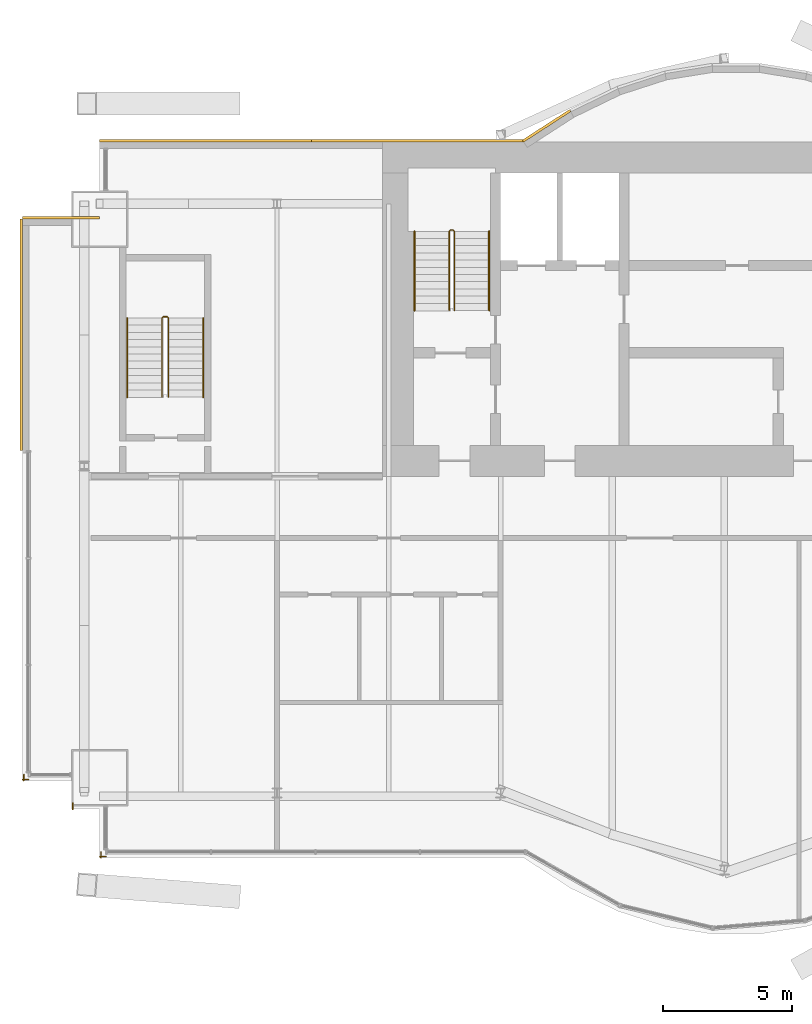
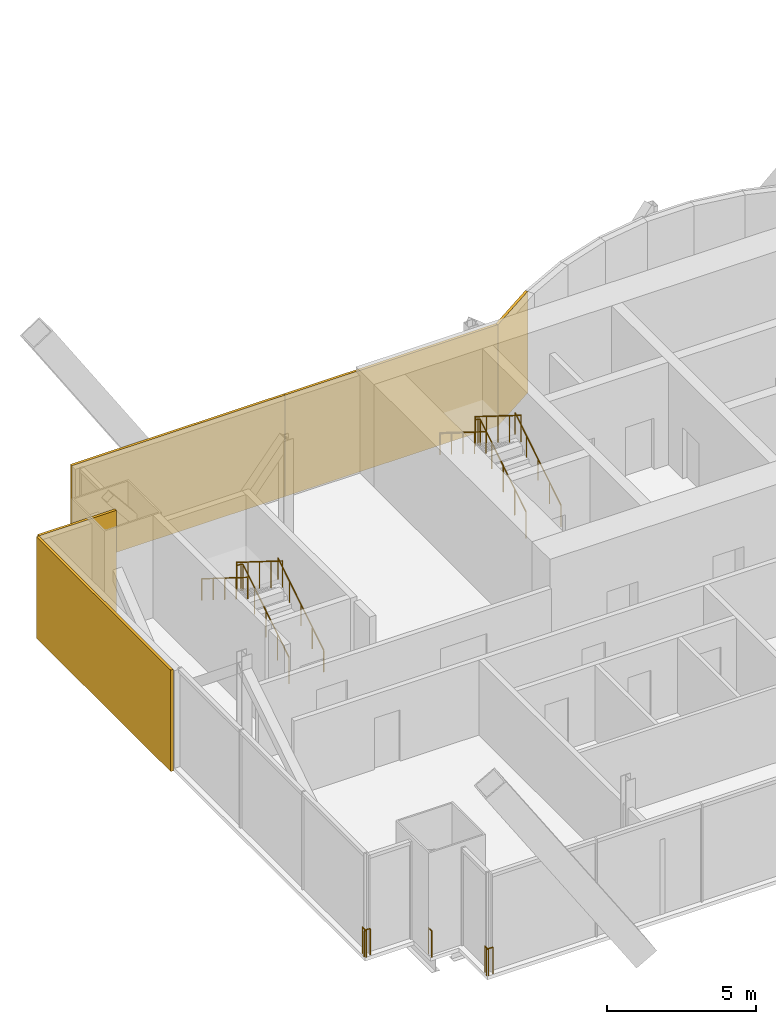
# One storey, part 17 of 19: 9 railings, 5 coverings.
"""IFC4 building model written with IfcOpenShell, lengths in metres."""

from ifc_helpers import new_model, si_unit, direction, frame, origin, origin_2d, place, context, subcontext, project, spatial, rectangle, circle, extrude, material, layer, layer_set, type_object, element, save


model = new_model("IFC4")

# Units and contexts
model_context = context("Model", 3, precision=1e-05, world=origin(), true_north=direction((0.0, 1.0)))
body_context = subcontext(model_context, "Body", "Model", "MODEL_VIEW")
ifc_project = project(units=[si_unit("LENGTHUNIT", "METRE"), si_unit("AREAUNIT", "SQUARE_METRE"), si_unit("VOLUMEUNIT", "CUBIC_METRE"), si_unit("PLANEANGLEUNIT", "RADIAN"), si_unit("MASSUNIT", "GRAM", prefix="KILO")], contexts=[model_context])

# Site, building, storey
site_placement = place(None, origin())
site = spatial("IfcSite", under=ifc_project, at=site_placement, CompositionType="ELEMENT")
building_placement = place(site_placement, origin())
building = spatial("IfcBuilding", under=site, at=building_placement, Name="Bicima Exchange Tower", CompositionType="ELEMENT")
storey_placement = place(building_placement, frame((0.0, 0.0, 283.39990234375)))
storey = spatial("IfcBuildingStorey", under=building, at=storey_placement, Name="L64", CompositionType="ELEMENT", Elevation=283.39990234375)

# Coverings
ifc_material_1 = material(Name="Bronze metal cladding")
ifc_layer_1 = layer(ifc_material_1, 0.004)
ifc_material_2 = material(Name="Ventilated cavity")
ifc_layer_2 = layer(ifc_material_2, 0.06)
ifc_material_3 = material(Name="Galvanised steel rail and mineral wool", Category="steel")
ifc_layer_3 = layer(ifc_material_3, 0.036)
ifc_layer_set = layer_set([ifc_layer_1, ifc_layer_2, ifc_layer_3], Name="Ventilated cavity")
covering_type = type_object("IfcCoveringType", Name="Bronze metal cladding panel 100", PredefinedType="CLADDING", material=ifc_layer_set)
covering_1_placement = place(storey_placement, frame((-15.610595703125, 0.634521484375, -0.14990234375), z_axis=(0.0, 0.0, 1.0), x_axis=(-0.839790466384, -0.542910648791, 0.0)))
element("IfcCovering", 1, at=covering_1_placement, inside=storey, type_object=covering_type, Name="Bronze cladding L64 19.1", PredefinedType="CLADDING", context=body_context, shape_type="SweptSolid", body=[
    extrude(rectangle(XDim=2.18310546875, YDim=0.10009765625, at=origin_2d()), origin(), (0.0, 0.0, 1.0), 4.14990234375),
])
for number, where, z_axis, x_axis, name in (
    (2, (-20.625, 0.050048828125, -0.14990234375), (0.0, 0.0, 1.0), (-1.0, 0.0, 0.0), "Bronze cladding L64 20.1"),
    (3, (-28.875, 0.050048828125, -0.14990234375), (0.0, 0.0, 1.0), (-1.0, 0.0, 0.0), "Bronze cladding L64 20.2"),
):
    element("IfcCovering", number, at=place(storey_placement, frame(where, z_axis=z_axis, x_axis=x_axis)), inside=storey, type_object=covering_type, Name=name, PredefinedType="CLADDING", context=body_context, shape_type="SweptSolid", body=[
        extrude(rectangle(XDim=8.25, YDim=0.10009765625, at=origin_2d()), origin(), (0.0, 0.0, 1.0), 4.14990234375),
    ])
covering_2_placement = place(storey_placement, frame((-34.5, -2.949951171875, -0.14990234375), z_axis=(0.0, 0.0, 1.0), x_axis=(-1.0, 0.0, 0.0)))
element("IfcCovering", 4, at=covering_2_placement, inside=storey, type_object=covering_type, Name="Bronze cladding L64 22.1", PredefinedType="CLADDING", context=body_context, shape_type="SweptSolid", body=[
    extrude(rectangle(XDim=3.0, YDim=0.10009765625, at=origin_2d()), origin(), (0.0, 0.0, 1.0), 4.14990234375),
])
covering_3_placement = place(storey_placement, frame((-36.050048828125, -7.5, -0.14990234375), z_axis=(0.0, 0.0, 1.0), x_axis=(0.0, -1.0, 0.0)))
element("IfcCovering", 5, at=covering_3_placement, inside=storey, type_object=covering_type, Name="Bronze cladding L64 23.1", PredefinedType="CLADDING", context=body_context, shape_type="SweptSolid", body=[
    extrude(rectangle(XDim=9.0, YDim=0.10009765625, at=origin_2d()), origin(), (0.0, 0.0, 1.0), 4.14990234375),
])

# Railings
ifc_material_4 = material(Name="Stainless steel and bonded safety glass", Category="steel")
railing_type_1 = type_object("IfcRailingType", Name="Edge guard 1100", PredefinedType="GUARDRAIL", material=ifc_material_4)
railing_1_placement = place(storey_placement, frame((-35.762939453125, -24.798095703125, 0.0)))
element("IfcRailing", 6, at=railing_1_placement, inside=storey, type_object=railing_type_1, Name="Edge guard L64 331", PredefinedType="GUARDRAIL", context=body_context, shape_type="SweptSolid", body=[
    extrude(circle(Radius=0.02392578125, at=origin_2d()), frame((0.0, 0.0, 1.076171875), z_axis=(-1.0, 0.0, 0.0), x_axis=(0.0, -1.0, 0.0)), (0.0, 0.0, 1.0), 0.237060546875),
    extrude(circle(Radius=0.02392578125, at=origin_2d()), frame((-0.237060546875, 0.0, 1.076171875), z_axis=(0.708833529934, -0.705375805398, 0.0), x_axis=(0.705375805398, 0.708833529934, 0.0)), (0.0, 0.0, 1.0), 0.070556640625),
    extrude(circle(Radius=0.02392578125, at=origin_2d()), frame((-0.18701171875, -0.0498046875, 1.076171875), z_axis=(0.0, 1.0, 0.0), x_axis=(-1.0, 0.0, 0.0)), (0.0, 0.0, 1.0), 0.247802734375),
    extrude(circle(Radius=0.02099609375, at=origin_2d()), origin(), (0.0, 0.0, 1.0), 1.052001953125),
    extrude(circle(Radius=0.02099609375, at=origin_2d()), frame((-0.237060546875, 0.0, 0.0)), (0.0, 0.0, 1.0), 1.052001953125),
    extrude(circle(Radius=0.02099609375, at=origin_2d()), frame((-0.18701171875, -0.0498046875, 0.0)), (0.0, 0.0, 1.0), 1.052001953125),
    extrude(circle(Radius=0.02099609375, at=origin_2d()), frame((-0.18701171875, 0.197998046875, 0.0)), (0.0, 0.0, 1.0), 1.052001953125),
])
railing_2_placement = place(storey_placement, frame((-32.75, -27.798095703125, 0.0)))
element("IfcRailing", 7, at=railing_2_placement, inside=storey, type_object=railing_type_1, Name="Edge guard L64 335", PredefinedType="GUARDRAIL", context=body_context, shape_type="SweptSolid", body=[
    extrude(circle(Radius=0.02392578125, at=origin_2d()), frame((0.0, 0.0, 1.076171875), z_axis=(-1.0, 0.0, 0.0), x_axis=(0.0, -1.0, 0.0)), (0.0, 0.0, 1.0), 0.25),
    extrude(circle(Radius=0.02392578125, at=origin_2d()), frame((-0.25, 0.0, 1.076171875), z_axis=(0.708833529934, -0.705375805398, 0.0), x_axis=(0.705375805398, 0.708833529934, 0.0)), (0.0, 0.0, 1.0), 0.070556640625),
    extrude(circle(Radius=0.02392578125, at=origin_2d()), frame((-0.199951171875, -0.0498046875, 1.076171875), z_axis=(0.0, 1.0, 0.0), x_axis=(-1.0, 0.0, 0.0)), (0.0, 0.0, 1.0), 0.23779296875),
    extrude(circle(Radius=0.02099609375, at=origin_2d()), origin(), (0.0, 0.0, 1.0), 1.052001953125),
    extrude(circle(Radius=0.02099609375, at=origin_2d()), frame((-0.25, 0.0, 0.0)), (0.0, 0.0, 1.0), 1.052001953125),
    extrude(circle(Radius=0.02099609375, at=origin_2d()), frame((-0.199951171875, -0.0498046875, 0.0)), (0.0, 0.0, 1.0), 1.052001953125),
    extrude(circle(Radius=0.02099609375, at=origin_2d()), frame((-0.199951171875, 0.18798828125, 0.0)), (0.0, 0.0, 1.0), 1.052001953125),
])
railing_3_placement = place(storey_placement, frame((-34.050048828125, -25.947998046875, 0.0)))
element("IfcRailing", 8, at=railing_3_placement, inside=storey, type_object=railing_type_1, Name="Edge guard L64 336", PredefinedType="GUARDRAIL", context=body_context, shape_type="SweptSolid", body=[
    extrude(circle(Radius=0.02392578125, at=origin_2d()), frame((0.0, 0.0, 1.076171875), z_axis=(0.0, 1.0, 0.0), x_axis=(-1.0, 0.0, 0.0)), (0.0, 0.0, 1.0), 0.219970703125),
    extrude(circle(Radius=0.02099609375, at=origin_2d()), origin(), (0.0, 0.0, 1.0), 1.052001953125),
    extrude(circle(Radius=0.02099609375, at=origin_2d()), frame((0.0, 0.219970703125, 0.0)), (0.0, 0.0, 1.0), 1.052001953125),
])
ifc_material_5 = material(Name="Stainless steel", Category="steel")
railing_type_2 = type_object("IfcRailingType", Name="Stair guard 1100", PredefinedType="GUARDRAIL", material=ifc_material_5)
railing_4_placement = place(storey_placement, frame((-19.199951171875, -6.550048828125, 0.175048828125)))
element("IfcRailing", 9, at=railing_4_placement, inside=storey, type_object=railing_type_2, Name="L64 ST-W stair guard 1", PredefinedType="GUARDRAIL", context=body_context, shape_type="SweptSolid", body=[
    extrude(circle(Radius=0.02392578125, at=origin_2d()), frame((0.0, 0.0, 1.076171875), z_axis=(0.0, 0.847998304005, 0.529998940003), x_axis=(-1.0, 0.0, 0.0)), (0.0, 0.0, 1.0), 3.632080078125),
    extrude(circle(Radius=0.02392578125, at=origin_2d()), frame((0.0, 3.080078125, 3.0009765625), z_axis=(-0.707106781187, 0.707106781187, 0.0), x_axis=(-0.707106781187, -0.707106781187, 0.0)), (0.0, 0.0, 1.0), 0.07080078125),
    extrude(circle(Radius=0.02392578125, at=origin_2d()), frame((-0.050048828125, 3.130126953125, 3.0009765625), z_axis=(-1.0, 0.0, 0.0), x_axis=(0.0, -1.0, 0.0)), (0.0, 0.0, 1.0), 0.10009765625),
    extrude(circle(Radius=0.02392578125, at=origin_2d()), frame((-0.150146484375, 3.130126953125, 3.0009765625), z_axis=(-0.263862480399, -0.265155923931, 0.927399011991), x_axis=(0.708833529934, -0.705375805398, 0.0)), (0.0, 0.0, 1.0), 0.188720703125),
    extrude(circle(Radius=0.02392578125, at=origin_2d()), frame((-0.199951171875, 3.080078125, 3.17626953125), z_axis=(0.0, -0.847998304005, 0.529998940003), x_axis=(1.0, 0.0, 0.0)), (0.0, 0.0, 1.0), 3.632080078125),
    extrude(circle(Radius=0.02099609375, at=origin_2d()), origin(), (0.0, 0.0, 1.0), 1.052001953125),
    extrude(circle(Radius=0.02099609375, at=origin_2d()), frame((0.0, 0.77001953125, 0.481201171875)), (0.0, 0.0, 1.0), 1.052001953125),
    extrude(circle(Radius=0.02099609375, at=origin_2d()), frame((0.0, 1.5400390625, 0.96240234375)), (0.0, 0.0, 1.0), 1.052001953125),
    extrude(circle(Radius=0.02099609375, at=origin_2d()), frame((0.0, 2.31005859375, 1.44384765625)), (0.0, 0.0, 1.0), 1.052001953125),
    extrude(circle(Radius=0.02099609375, at=origin_2d()), frame((0.0, 3.080078125, 1.925048828125)), (0.0, 0.0, 1.0), 1.052001953125),
    extrude(circle(Radius=0.02099609375, at=origin_2d()), frame((-0.050048828125, 3.130126953125, 1.925048828125)), (0.0, 0.0, 1.0), 1.052001953125),
    extrude(circle(Radius=0.02099609375, at=origin_2d()), frame((-0.150146484375, 3.130126953125, 1.925048828125)), (0.0, 0.0, 1.0), 1.052001953125),
    extrude(circle(Radius=0.02099609375, at=origin_2d()), frame((-0.199951171875, 3.080078125, 2.10009765625)), (0.0, 0.0, 1.0), 1.052001953125),
    extrude(circle(Radius=0.02099609375, at=origin_2d()), frame((-0.199951171875, 2.31005859375, 2.581298828125)), (0.0, 0.0, 1.0), 1.052001953125),
    extrude(circle(Radius=0.02099609375, at=origin_2d()), frame((-0.199951171875, 1.5400390625, 3.0625)), (0.0, 0.0, 1.0), 1.052001953125),
    extrude(circle(Radius=0.02099609375, at=origin_2d()), frame((-0.199951171875, 0.77001953125, 3.5439453125)), (0.0, 0.0, 1.0), 1.052001953125),
    extrude(circle(Radius=0.02099609375, at=origin_2d()), frame((-0.199951171875, 0.0, 4.025146484375)), (0.0, 0.0, 1.0), 1.052001953125),
])
railing_5_placement = place(storey_placement, frame((-30.324951171875, -9.925048828125, 0.175048828125)))
element("IfcRailing", 10, at=railing_5_placement, inside=storey, type_object=railing_type_2, Name="L64 ST-WW stair guard 1", PredefinedType="GUARDRAIL", context=body_context, shape_type="SweptSolid", body=[
    extrude(circle(Radius=0.02392578125, at=origin_2d()), frame((0.0, 0.0, 1.076171875), z_axis=(0.0, 0.847998304005, 0.529998940003), x_axis=(-1.0, 0.0, 0.0)), (0.0, 0.0, 1.0), 3.632080078125),
    extrude(circle(Radius=0.02392578125, at=origin_2d()), frame((0.0, 3.080078125, 3.0009765625), z_axis=(-0.707106781187, 0.707106781187, 0.0), x_axis=(-0.707106781187, -0.707106781187, 0.0)), (0.0, 0.0, 1.0), 0.07080078125),
    extrude(circle(Radius=0.02392578125, at=origin_2d()), frame((-0.050048828125, 3.130126953125, 3.0009765625), z_axis=(-1.0, 0.0, 0.0), x_axis=(0.0, -1.0, 0.0)), (0.0, 0.0, 1.0), 0.14990234375),
    extrude(circle(Radius=0.02392578125, at=origin_2d()), frame((-0.199951171875, 3.130126953125, 3.0009765625), z_axis=(-0.265065253269, -0.265065253269, 0.927081885822), x_axis=(0.707106781187, -0.707106781187, 0.0)), (0.0, 0.0, 1.0), 0.188720703125),
    extrude(circle(Radius=0.02392578125, at=origin_2d()), frame((-0.25, 3.080078125, 3.17626953125), z_axis=(0.0, -0.847998304005, 0.529998940003), x_axis=(1.0, 0.0, 0.0)), (0.0, 0.0, 1.0), 3.632080078125),
    extrude(circle(Radius=0.02099609375, at=origin_2d()), origin(), (0.0, 0.0, 1.0), 1.052001953125),
    extrude(circle(Radius=0.02099609375, at=origin_2d()), frame((0.0, 0.77001953125, 0.481201171875)), (0.0, 0.0, 1.0), 1.052001953125),
    extrude(circle(Radius=0.02099609375, at=origin_2d()), frame((0.0, 1.5400390625, 0.96240234375)), (0.0, 0.0, 1.0), 1.052001953125),
    extrude(circle(Radius=0.02099609375, at=origin_2d()), frame((0.0, 2.31005859375, 1.44384765625)), (0.0, 0.0, 1.0), 1.052001953125),
    extrude(circle(Radius=0.02099609375, at=origin_2d()), frame((0.0, 3.080078125, 1.925048828125)), (0.0, 0.0, 1.0), 1.052001953125),
    extrude(circle(Radius=0.02099609375, at=origin_2d()), frame((-0.050048828125, 3.130126953125, 1.925048828125)), (0.0, 0.0, 1.0), 1.052001953125),
    extrude(circle(Radius=0.02099609375, at=origin_2d()), frame((-0.199951171875, 3.130126953125, 1.925048828125)), (0.0, 0.0, 1.0), 1.052001953125),
    extrude(circle(Radius=0.02099609375, at=origin_2d()), frame((-0.25, 3.080078125, 2.10009765625)), (0.0, 0.0, 1.0), 1.052001953125),
    extrude(circle(Radius=0.02099609375, at=origin_2d()), frame((-0.25, 2.31005859375, 2.581298828125)), (0.0, 0.0, 1.0), 1.052001953125),
    extrude(circle(Radius=0.02099609375, at=origin_2d()), frame((-0.25, 1.5400390625, 3.0625)), (0.0, 0.0, 1.0), 1.052001953125),
    extrude(circle(Radius=0.02099609375, at=origin_2d()), frame((-0.25, 0.77001953125, 3.5439453125)), (0.0, 0.0, 1.0), 1.052001953125),
    extrude(circle(Radius=0.02099609375, at=origin_2d()), frame((-0.25, 0.0, 4.025146484375)), (0.0, 0.0, 1.0), 1.052001953125),
])
railing_type_3 = type_object("IfcRailingType", Name="Stair handrail 900", PredefinedType="HANDRAIL", material=ifc_material_5)
railing_6_placement = place(storey_placement, frame((-17.85009765625, -6.550048828125, 0.175048828125)))
element("IfcRailing", 11, at=railing_6_placement, inside=storey, type_object=railing_type_3, Name="L64 ST-W stair handrail 1", PredefinedType="HANDRAIL", context=body_context, shape_type="SweptSolid", body=[
    extrude(circle(Radius=0.02392578125, at=origin_2d()), frame((0.0, 0.0, 0.8759765625), z_axis=(0.0, 0.847998304005, 0.529998940003), x_axis=(-1.0, 0.0, 0.0)), (0.0, 0.0, 1.0), 3.632080078125),
    extrude(circle(Radius=0.02099609375, at=origin_2d()), origin(), (0.0, 0.0, 1.0), 0.851806640625),
    extrude(circle(Radius=0.02099609375, at=origin_2d()), frame((0.0, 0.77001953125, 0.481201171875)), (0.0, 0.0, 1.0), 0.851806640625),
    extrude(circle(Radius=0.02099609375, at=origin_2d()), frame((0.0, 1.5400390625, 0.96240234375)), (0.0, 0.0, 1.0), 0.851806640625),
    extrude(circle(Radius=0.02099609375, at=origin_2d()), frame((0.0, 2.31005859375, 1.44384765625)), (0.0, 0.0, 1.0), 0.851806640625),
    extrude(circle(Radius=0.02099609375, at=origin_2d()), frame((0.0, 3.080078125, 1.925048828125)), (0.0, 0.0, 1.0), 0.851806640625),
])
railing_7_placement = place(storey_placement, frame((-20.75, -3.469970703125, 2.275146484375)))
element("IfcRailing", 12, at=railing_7_placement, inside=storey, type_object=railing_type_3, Name="L64 ST-W stair handrail 2", PredefinedType="HANDRAIL", context=body_context, shape_type="SweptSolid", body=[
    extrude(circle(Radius=0.02392578125, at=origin_2d()), frame((0.0, 0.0, 0.8759765625), z_axis=(0.0, -0.847998304005, 0.529998940003), x_axis=(1.0, 0.0, 0.0)), (0.0, 0.0, 1.0), 3.632080078125),
    extrude(circle(Radius=0.02099609375, at=origin_2d()), origin(), (0.0, 0.0, 1.0), 0.851806640625),
    extrude(circle(Radius=0.02099609375, at=origin_2d()), frame((0.0, -0.77001953125, 0.481201171875)), (0.0, 0.0, 1.0), 0.851806640625),
    extrude(circle(Radius=0.02099609375, at=origin_2d()), frame((0.0, -1.5400390625, 0.96240234375)), (0.0, 0.0, 1.0), 0.851806640625),
    extrude(circle(Radius=0.02099609375, at=origin_2d()), frame((0.0, -2.31005859375, 1.44384765625)), (0.0, 0.0, 1.0), 0.851806640625),
    extrude(circle(Radius=0.02099609375, at=origin_2d()), frame((0.0, -3.080078125, 1.925048828125)), (0.0, 0.0, 1.0), 0.851806640625),
])
railing_8_placement = place(storey_placement, frame((-28.97509765625, -9.925048828125, 0.175048828125)))
element("IfcRailing", 13, at=railing_8_placement, inside=storey, type_object=railing_type_3, Name="L64 ST-WW stair handrail 1", PredefinedType="HANDRAIL", context=body_context, shape_type="SweptSolid", body=[
    extrude(circle(Radius=0.02392578125, at=origin_2d()), frame((0.0, 0.0, 0.8759765625), z_axis=(0.0, 0.847998304005, 0.529998940003), x_axis=(-1.0, 0.0, 0.0)), (0.0, 0.0, 1.0), 3.632080078125),
    extrude(circle(Radius=0.02099609375, at=origin_2d()), origin(), (0.0, 0.0, 1.0), 0.851806640625),
    extrude(circle(Radius=0.02099609375, at=origin_2d()), frame((0.0, 0.77001953125, 0.481201171875)), (0.0, 0.0, 1.0), 0.851806640625),
    extrude(circle(Radius=0.02099609375, at=origin_2d()), frame((0.0, 1.5400390625, 0.96240234375)), (0.0, 0.0, 1.0), 0.851806640625),
    extrude(circle(Radius=0.02099609375, at=origin_2d()), frame((0.0, 2.31005859375, 1.44384765625)), (0.0, 0.0, 1.0), 0.851806640625),
    extrude(circle(Radius=0.02099609375, at=origin_2d()), frame((0.0, 3.080078125, 1.925048828125)), (0.0, 0.0, 1.0), 0.851806640625),
])
railing_9_placement = place(storey_placement, frame((-31.925048828125, -6.844970703125, 2.275146484375)))
element("IfcRailing", 14, at=railing_9_placement, inside=storey, type_object=railing_type_3, Name="L64 ST-WW stair handrail 2", PredefinedType="HANDRAIL", context=body_context, shape_type="SweptSolid", body=[
    extrude(circle(Radius=0.02392578125, at=origin_2d()), frame((0.0, 0.0, 0.8759765625), z_axis=(0.0, -0.847998304005, 0.529998940003), x_axis=(1.0, 0.0, 0.0)), (0.0, 0.0, 1.0), 3.632080078125),
    extrude(circle(Radius=0.02099609375, at=origin_2d()), origin(), (0.0, 0.0, 1.0), 0.851806640625),
    extrude(circle(Radius=0.02099609375, at=origin_2d()), frame((0.0, -0.77001953125, 0.481201171875)), (0.0, 0.0, 1.0), 0.851806640625),
    extrude(circle(Radius=0.02099609375, at=origin_2d()), frame((0.0, -1.5400390625, 0.96240234375)), (0.0, 0.0, 1.0), 0.851806640625),
    extrude(circle(Radius=0.02099609375, at=origin_2d()), frame((0.0, -2.31005859375, 1.44384765625)), (0.0, 0.0, 1.0), 0.851806640625),
    extrude(circle(Radius=0.02099609375, at=origin_2d()), frame((0.0, -3.080078125, 1.925048828125)), (0.0, 0.0, 1.0), 0.851806640625),
])

save(model, "model.ifc")
